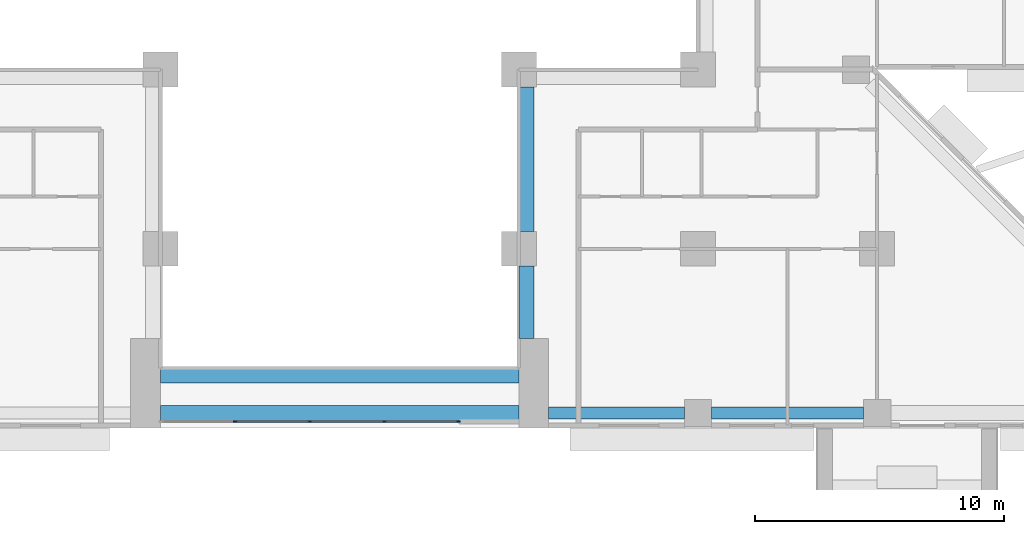
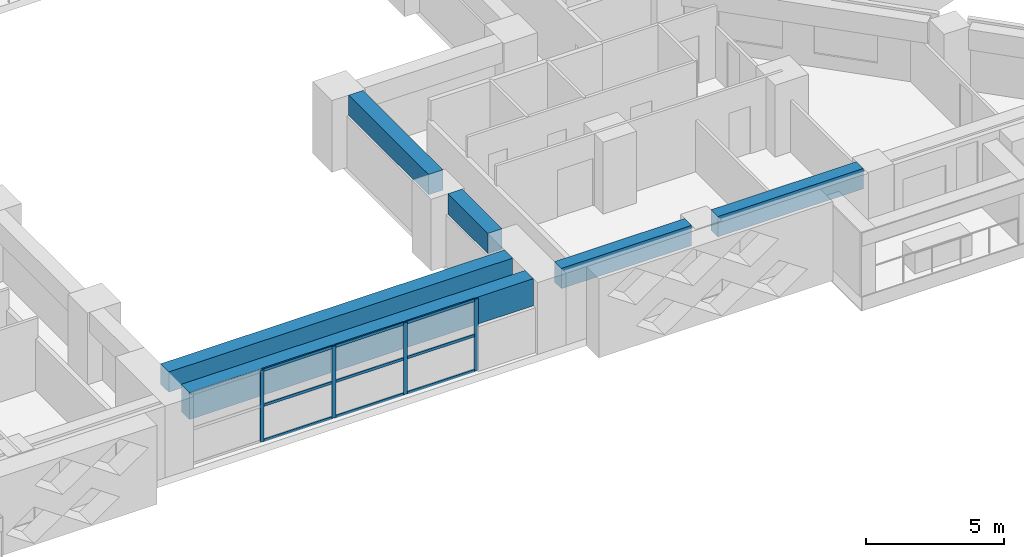
# One storey, part 4 of 17: 13 members, 6 beams, 1 element without a shape of its own.
"""IFC4 building model written with IfcOpenShell, lengths in metres."""

from ifc_helpers import new_model, si_unit, direction, frame, origin, origin_2d, place, context, subcontext, project, spatial, rectangle, extrude, source, transform, mapped, material, layer, layer_set, material_profile, profile_set, type_object, element, aggregate, save


model = new_model("IFC4")

# Units and contexts
model_context = context("Model", 3, precision=1e-05, world=origin(), true_north=direction((0.0, 1.0)))
body_context = subcontext(model_context, "Body", "Model", "MODEL_VIEW")
ifc_project = project(units=[si_unit("LENGTHUNIT", "METRE"), si_unit("AREAUNIT", "SQUARE_METRE"), si_unit("VOLUMEUNIT", "CUBIC_METRE"), si_unit("PLANEANGLEUNIT", "RADIAN"), si_unit("MASSUNIT", "GRAM", prefix="KILO")], contexts=[model_context])

# Site, building, storey
site_placement = place(None, origin())
site = spatial("IfcSite", under=ifc_project, at=site_placement, CompositionType="ELEMENT")
building_placement = place(site_placement, origin())
building = spatial("IfcBuilding", under=site, at=building_placement, Name="Saffron Iwan Residences", CompositionType="ELEMENT")
storey_placement = place(building_placement, frame((0.0, 0.0, 51.5)))
storey = spatial("IfcBuildingStorey", under=building, at=storey_placement, Name="L12", CompositionType="ELEMENT", Elevation=51.5)

# Beams
ifc_material_1 = material(Name="Concrete C60/75", Category="concrete")
ifc_material_profile_1 = material_profile(ifc_material_1, rectangle(XDim=0.5, YDim=0.89990234375, at=origin_2d()), Name="RC 500x900")
ifc_profile_set_1 = profile_set([ifc_material_profile_1], Name="Concrete C60/75")
beam_type_1 = type_object("IfcBeamType", Name="SPANDREL BEAM RC 500x900 C60/75 TOP 3180", PredefinedType="SPANDREL", material=ifc_profile_set_1)
shared_shape_1 = source(origin(), body_context, "Body", "SweptSolid", [
    extrude(rectangle(XDim=0.5, YDim=0.89990234375, at=origin_2d()), origin(), (0.0, 0.0, 1.0), 6.099853515625),
])
beam_1_placement = place(storey_placement, frame((71.449951171875, 34.199951171875, 2.72998046875), z_axis=(-1.0, 0.0, 0.0), x_axis=(0.0, -1.0, 0.0)))
element("IfcBeam", 1, at=beam_1_placement, inside=storey, type_object=beam_type_1, Name="Spandrel beam", PredefinedType="SPANDREL", context=body_context, shape_type="MappedRepresentation", body=[
    mapped(shared_shape_1, transform((0.0, 0.0, 0.0))),
])
shared_shape_2 = source(origin(), body_context, "Body", "SweptSolid", [
    extrude(rectangle(XDim=0.5, YDim=0.89990234375, at=origin_2d()), origin(), (0.0, 0.0, 1.0), 5.449951171875),
])
beam_2_placement = place(storey_placement, frame((64.25, 34.199951171875, 2.72998046875), z_axis=(-1.0, 0.0, 0.0), x_axis=(0.0, -1.0, 0.0)))
element("IfcBeam", 2, at=beam_2_placement, inside=storey, type_object=beam_type_1, Name="Spandrel beam", PredefinedType="SPANDREL", context=body_context, shape_type="MappedRepresentation", body=[
    mapped(shared_shape_2, transform((0.0, 0.0, 0.0))),
])
ifc_material_profile_2 = material_profile(ifc_material_1, rectangle(XDim=0.60009765625, YDim=1.199951171875, at=origin_2d()), Name="RC 600x1200")
ifc_profile_set_2 = profile_set([ifc_material_profile_2], Name="Concrete C60/75")
beam_type_2 = type_object("IfcBeamType", Name="LINTEL BEAM RC 600x1200 C60/75 TOP 3180", PredefinedType="LINTEL", material=ifc_profile_set_2)
shared_shape_3 = source(origin(), body_context, "Body", "SweptSolid", [
    extrude(rectangle(XDim=0.60009765625, YDim=1.199951171875, at=origin_2d()), origin(), (0.0, 0.0, 1.0), 14.400146484375),
])
beam_3_placement = place(storey_placement, frame((57.60009765625, 34.199951171875, 2.580078125), z_axis=(-1.0, 0.0, 0.0), x_axis=(0.0, -1.0, 0.0)))
element("IfcBeam", 3, at=beam_3_placement, inside=storey, type_object=beam_type_2, Name="Lintel beam over the iwan", PredefinedType="LINTEL", context=body_context, shape_type="MappedRepresentation", body=[
    mapped(shared_shape_3, transform((0.0, 0.0, 0.0))),
])
ifc_material_profile_3 = material_profile(ifc_material_1, rectangle(XDim=0.60009765625, YDim=0.89990234375, at=origin_2d()), Name="RC 600x900")
ifc_profile_set_3 = profile_set([ifc_material_profile_3], Name="Concrete C60/75")
beam_type_3 = type_object("IfcBeamType", Name="BEAM RC 600x900 C60/75 TOP 3180", PredefinedType="BEAM", material=ifc_profile_set_3)
shared_shape_4 = source(origin(), body_context, "Body", "SweptSolid", [
    extrude(rectangle(XDim=0.60009765625, YDim=0.89990234375, at=origin_2d()), origin(), (0.0, 0.0, 1.0), 14.400146484375),
])
beam_4_placement = place(storey_placement, frame((57.60009765625, 35.699951171875, 2.72998046875), z_axis=(-1.0, 0.0, 0.0), x_axis=(0.0, -1.0, 0.0)))
element("IfcBeam", 4, at=beam_4_placement, inside=storey, type_object=beam_type_3, Name="Atrium edge beam", PredefinedType="BEAM", context=body_context, shape_type="MappedRepresentation", body=[
    mapped(shared_shape_4, transform((0.0, 0.0, 0.0))),
])
shared_shape_5 = source(origin(), body_context, "Body", "SweptSolid", [
    extrude(rectangle(XDim=0.60009765625, YDim=0.89990234375, at=origin_2d()), origin(), (0.0, 0.0, 1.0), 2.900146484375),
])
beam_5_placement = place(storey_placement, frame((57.89990234375, 40.10009765625, 2.72998046875), z_axis=(0.0, -1.0, 0.0), x_axis=(1.0, 0.0, 0.0)))
element("IfcBeam", 5, at=beam_5_placement, inside=storey, type_object=beam_type_3, Name="Atrium edge beam", PredefinedType="BEAM", context=body_context, shape_type="MappedRepresentation", body=[
    mapped(shared_shape_5, transform((0.0, 0.0, 0.0))),
])
shared_shape_6 = source(origin(), body_context, "Body", "SweptSolid", [
    extrude(rectangle(XDim=0.60009765625, YDim=0.89990234375, at=origin_2d()), origin(), (0.0, 0.0, 1.0), 5.800048828125),
])
beam_6_placement = place(storey_placement, frame((57.89990234375, 47.300048828125, 2.72998046875), z_axis=(0.0, -1.0, 0.0), x_axis=(1.0, 0.0, 0.0)))
element("IfcBeam", 6, at=beam_6_placement, inside=storey, type_object=beam_type_3, Name="Atrium edge beam", PredefinedType="BEAM", context=body_context, shape_type="MappedRepresentation", body=[
    mapped(shared_shape_6, transform((0.0, 0.0, 0.0))),
])

# Curtain wall, members
ifc_material_2 = material(Name="Clear glass, laminated double glazed", Category="glass")
ifc_layer = layer(ifc_material_2, 0.199951171875)
ifc_layer_set = layer_set([ifc_layer], Name="Clear glass, laminated double glazed")
curtain_wall_type = type_object("IfcCurtainWallType", Name="CW-B IWAN PORTAL", PredefinedType="NOTDEFINED", material=ifc_layer_set)
curtain_wall_placement = place(storey_placement, origin())
curtain_wall = element("IfcCurtainWall", 7, at=curtain_wall_placement, inside=storey, type_object=curtain_wall_type, Name="Iwan portal glazing L12.1", PredefinedType="NOTDEFINED")
ifc_material_3 = material(Name="Aluminium 6063-T6", Category="aluminium")
ifc_material_profile_4 = material_profile(ifc_material_3, rectangle(XDim=0.06005859375, YDim=0.159912109375, at=origin_2d()), Name="CW-B MULLION 60 x 160")
ifc_profile_set_4 = profile_set([ifc_material_profile_4], Name="Aluminium 6063-T6")
member_type_1 = type_object("IfcMemberType", Name="CW-B MULLION 60 x 160", PredefinedType="MULLION", material=ifc_profile_set_4)
shared_shape_7 = source(origin(), body_context, "Body", "SweptSolid", [
    extrude(rectangle(XDim=0.06005859375, YDim=0.159912109375, at=origin_2d()), origin(), (0.0, 0.0, 1.0), 3.179931640625),
])
member_1_placement = place(storey_placement, frame((46.199951171875, 33.85009765625, 0.0), z_axis=(0.0, 0.0, 1.0), x_axis=(0.0, 1.0, 0.0)))
member_1 = element("IfcMember", 8, at=member_1_placement, type_object=member_type_1, Name="CW-B mullion 2", PredefinedType="MULLION", context=body_context, shape_type="MappedRepresentation", body=[
    mapped(shared_shape_7, transform((0.0, 0.0, 0.0))),
])
member_2_placement = place(storey_placement, frame((49.199951171875, 33.85009765625, 0.0), z_axis=(0.0, 0.0, 1.0), x_axis=(0.0, 1.0, 0.0)))
member_2 = element("IfcMember", 9, at=member_2_placement, type_object=member_type_1, Name="CW-B mullion 3", PredefinedType="MULLION", context=body_context, shape_type="MappedRepresentation", body=[
    mapped(shared_shape_7, transform((0.0, 0.0, 0.0))),
])
member_3_placement = place(storey_placement, frame((52.199951171875, 33.85009765625, 0.0), z_axis=(0.0, 0.0, 1.0), x_axis=(0.0, 1.0, 0.0)))
member_3 = element("IfcMember", 10, at=member_3_placement, type_object=member_type_1, Name="CW-B mullion 4", PredefinedType="MULLION", context=body_context, shape_type="MappedRepresentation", body=[
    mapped(shared_shape_7, transform((0.0, 0.0, 0.0))),
])
member_4_placement = place(storey_placement, frame((55.169921875, 33.85009765625, 0.0), z_axis=(0.0, 0.0, 1.0), x_axis=(0.0, 1.0, 0.0)))
member_4 = element("IfcMember", 11, at=member_4_placement, type_object=member_type_1, Name="CW-B mullion 5", PredefinedType="MULLION", context=body_context, shape_type="MappedRepresentation", body=[
    mapped(shared_shape_7, transform((0.0, 0.0, 0.0))),
])
ifc_material_profile_5 = material_profile(ifc_material_3, rectangle(XDim=0.06005859375, YDim=0.1201171875, at=origin_2d()), Name="CW-B TRANSOM 60 x 120")
ifc_profile_set_5 = profile_set([ifc_material_profile_5], Name="Aluminium 6063-T6")
member_type_2 = type_object("IfcMemberType", Name="CW-B TRANSOM 60 x 120", PredefinedType="USERDEFINED", material=ifc_profile_set_5)
shared_shape_8 = source(origin(), body_context, "Body", "SweptSolid", [
    extrude(rectangle(XDim=0.06005859375, YDim=0.1201171875, at=origin_2d()), origin(), (0.0, 0.0, 1.0), 2.909912109375),
])
member_5_placement = place(storey_placement, frame((52.22998046875, 33.85009765625, 0.030029296875), z_axis=(1.0, 0.0, 0.0), x_axis=(0.0, 1.0, 0.0)))
member_5 = element("IfcMember", 12, at=member_5_placement, type_object=member_type_2, Name="CW-B transom 4.1", ObjectType="TRANSOM", PredefinedType="USERDEFINED", context=body_context, shape_type="MappedRepresentation", body=[
    mapped(shared_shape_8, transform((0.0, 0.0, 0.0))),
])
member_6_placement = place(storey_placement, frame((52.22998046875, 33.85009765625, 1.590087890625), z_axis=(1.0, 0.0, 0.0), x_axis=(0.0, 1.0, 0.0)))
member_6 = element("IfcMember", 13, at=member_6_placement, type_object=member_type_2, Name="CW-B transom 4.2", ObjectType="TRANSOM", PredefinedType="USERDEFINED", context=body_context, shape_type="MappedRepresentation", body=[
    mapped(shared_shape_8, transform((0.0, 0.0, 0.0))),
])
member_7_placement = place(storey_placement, frame((52.22998046875, 33.85009765625, 3.14990234375), z_axis=(1.0, 0.0, 0.0), x_axis=(0.0, 1.0, 0.0)))
member_7 = element("IfcMember", 14, at=member_7_placement, type_object=member_type_2, Name="CW-B transom 4.3", ObjectType="TRANSOM", PredefinedType="USERDEFINED", context=body_context, shape_type="MappedRepresentation", body=[
    mapped(shared_shape_8, transform((0.0, 0.0, 0.0))),
])
shared_shape_9 = source(origin(), body_context, "Body", "SweptSolid", [
    extrude(rectangle(XDim=0.06005859375, YDim=0.1201171875, at=origin_2d()), origin(), (0.0, 0.0, 1.0), 2.93994140625),
])
member_8_placement = place(storey_placement, frame((46.22998046875, 33.85009765625, 0.030029296875), z_axis=(1.0, 0.0, 0.0), x_axis=(0.0, 1.0, 0.0)))
member_8 = element("IfcMember", 15, at=member_8_placement, type_object=member_type_2, Name="CW-B transom 2.1", ObjectType="TRANSOM", PredefinedType="USERDEFINED", context=body_context, shape_type="MappedRepresentation", body=[
    mapped(shared_shape_9, transform((0.0, 0.0, 0.0))),
])
member_9_placement = place(storey_placement, frame((46.22998046875, 33.85009765625, 1.590087890625), z_axis=(1.0, 0.0, 0.0), x_axis=(0.0, 1.0, 0.0)))
member_9 = element("IfcMember", 16, at=member_9_placement, type_object=member_type_2, Name="CW-B transom 2.2", ObjectType="TRANSOM", PredefinedType="USERDEFINED", context=body_context, shape_type="MappedRepresentation", body=[
    mapped(shared_shape_9, transform((0.0, 0.0, 0.0))),
])
member_10_placement = place(storey_placement, frame((46.22998046875, 33.85009765625, 3.14990234375), z_axis=(1.0, 0.0, 0.0), x_axis=(0.0, 1.0, 0.0)))
member_10 = element("IfcMember", 17, at=member_10_placement, type_object=member_type_2, Name="CW-B transom 2.3", ObjectType="TRANSOM", PredefinedType="USERDEFINED", context=body_context, shape_type="MappedRepresentation", body=[
    mapped(shared_shape_9, transform((0.0, 0.0, 0.0))),
])
member_11_placement = place(storey_placement, frame((49.22998046875, 33.85009765625, 0.030029296875), z_axis=(1.0, 0.0, 0.0), x_axis=(0.0, 1.0, 0.0)))
member_11 = element("IfcMember", 18, at=member_11_placement, type_object=member_type_2, Name="CW-B transom 3.1", ObjectType="TRANSOM", PredefinedType="USERDEFINED", context=body_context, shape_type="MappedRepresentation", body=[
    mapped(shared_shape_9, transform((0.0, 0.0, 0.0))),
])
member_12_placement = place(storey_placement, frame((49.22998046875, 33.85009765625, 1.590087890625), z_axis=(1.0, 0.0, 0.0), x_axis=(0.0, 1.0, 0.0)))
member_12 = element("IfcMember", 19, at=member_12_placement, type_object=member_type_2, Name="CW-B transom 3.2", ObjectType="TRANSOM", PredefinedType="USERDEFINED", context=body_context, shape_type="MappedRepresentation", body=[
    mapped(shared_shape_9, transform((0.0, 0.0, 0.0))),
])
member_13_placement = place(storey_placement, frame((49.22998046875, 33.85009765625, 3.14990234375), z_axis=(1.0, 0.0, 0.0), x_axis=(0.0, 1.0, 0.0)))
member_13 = element("IfcMember", 20, at=member_13_placement, type_object=member_type_2, Name="CW-B transom 3.3", ObjectType="TRANSOM", PredefinedType="USERDEFINED", context=body_context, shape_type="MappedRepresentation", body=[
    mapped(shared_shape_9, transform((0.0, 0.0, 0.0))),
])
aggregate(curtain_wall, [member_1, member_2, member_3, member_4, member_8, member_9, member_10, member_11, member_12, member_13, member_5, member_6, member_7])

save(model, "model.ifc")
